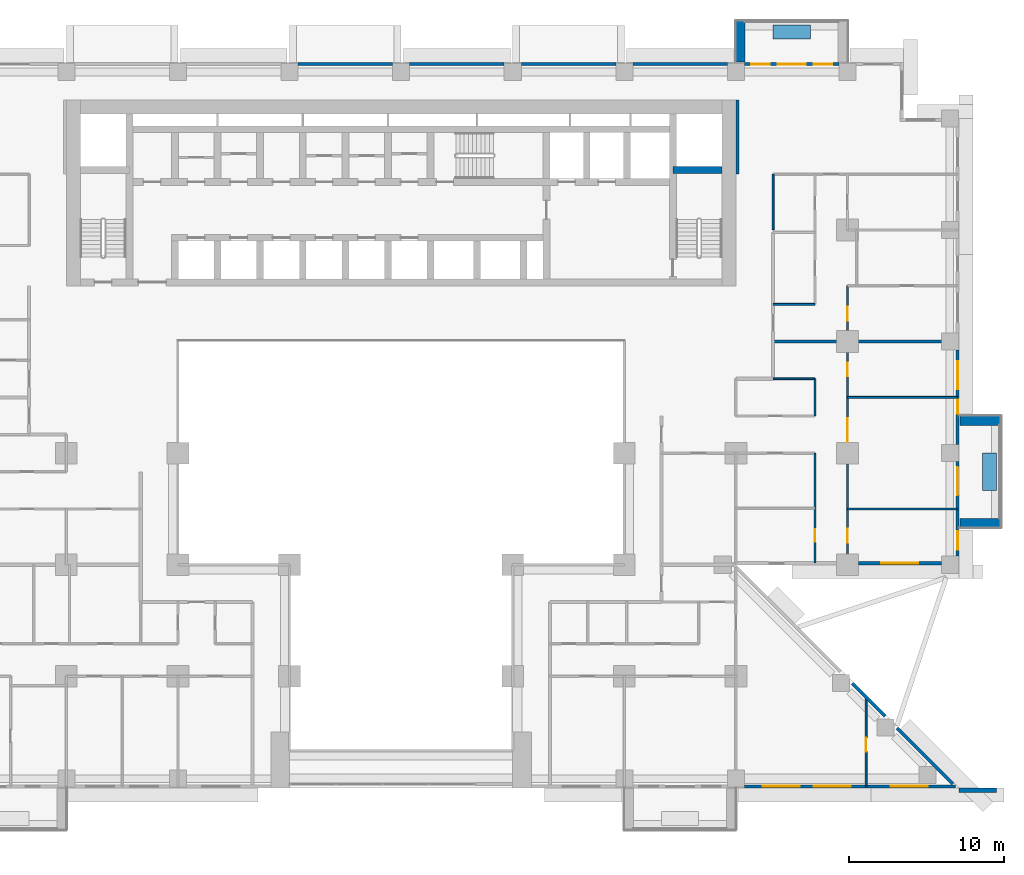
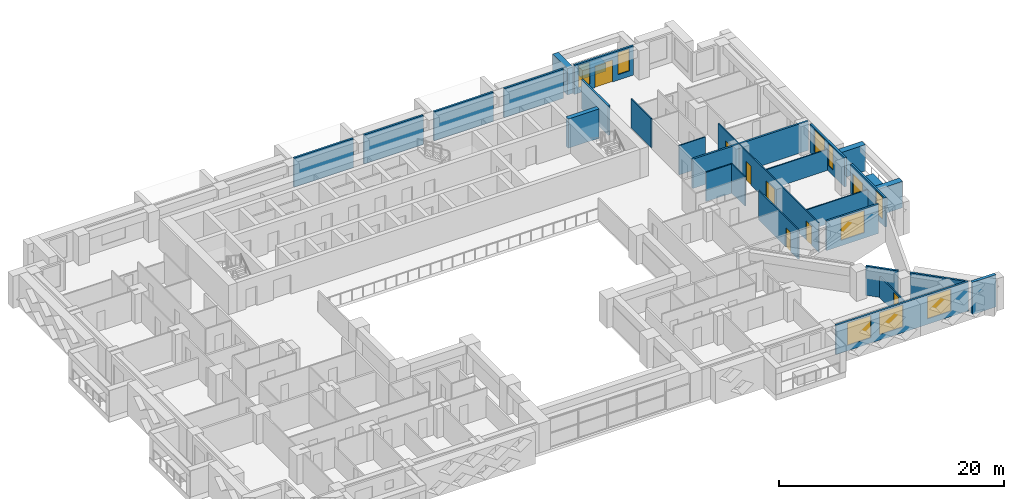
# One storey, part 11 of 16: 29 walls, 9 windows, 8 doors, 17 openings.
"""IFC4 building model written with IfcOpenShell, lengths in metres."""

from ifc_helpers import new_model, si_unit, direction, frame, frame_2d, origin, place, context, subcontext, project, spatial, rectangle, extrude, material, layer, layer_set, type_object, element, fill, save


model = new_model("IFC4")

# Units and contexts
model_context = context("Model", 3, precision=1e-05, world=origin(), true_north=direction((0.0, 1.0)))
body_context = subcontext(model_context, "Body", "Model", "MODEL_VIEW")
ifc_project = project(units=[si_unit("LENGTHUNIT", "METRE"), si_unit("AREAUNIT", "SQUARE_METRE"), si_unit("VOLUMEUNIT", "CUBIC_METRE"), si_unit("PLANEANGLEUNIT", "RADIAN"), si_unit("MASSUNIT", "GRAM", prefix="KILO")], contexts=[model_context])

# Site, building, storey
site_placement = place(None, origin())
site = spatial("IfcSite", under=ifc_project, at=site_placement, CompositionType="ELEMENT")
building_placement = place(site_placement, origin())
building = spatial("IfcBuilding", under=site, at=building_placement, Name="Saffron Iwan Residences", CompositionType="ELEMENT")
storey_placement = place(building_placement, frame((0.0, 0.0, 44.5)))
storey = spatial("IfcBuildingStorey", under=building, at=storey_placement, Name="L10", CompositionType="ELEMENT", Elevation=44.5)

# Walls
ifc_material_1 = material(Name="Concrete C50/60 white painted", Category="concrete")
ifc_layer_1 = layer(ifc_material_1, 0.60009765625)
ifc_layer_set_1 = layer_set([ifc_layer_1], Name="Concrete C50/60 white painted")
wall_type_1 = type_object("IfcWallType", Name="BALCONY FIN 600", PredefinedType="SOLIDWALL", material=ifc_layer_set_1)
for number, where, z_axis, x_axis, name in (
    (1, (86.449951171875, 50.699951171875, 0.0), (0.0, 0.0, 1.0), (1.0, 0.0, 0.0), "Balcony fin L10 F2-0a"),
    (2, (86.449951171875, 57.300048828125, 0.0), (0.0, 0.0, 1.0), (1.0, 0.0, 0.0), "Balcony fin L10 F2-0b"),
    (3, (72.300048828125, 80.449951171875, 0.0), (0.0, 0.0, 1.0), (0.0, 1.0, 0.0), "Balcony fin L10 F5-0b"),
):
    element("IfcWall", number, at=place(storey_placement, frame(where, z_axis=z_axis, x_axis=x_axis)), inside=storey, type_object=wall_type_1, Name=name, PredefinedType="SOLIDWALL", context=body_context, shape_type="SweptSolid", body=[
        extrude(rectangle(XDim=2.650146484375, YDim=0.60009765625, at=frame_2d((1.3251953125, 0.0))), origin(), (0.0, 0.0, 1.0), 2.85009765625),
    ])
ifc_material_2 = material(Name="Concrete C35/45 white painted", Category="concrete")
ifc_layer_2 = layer(ifc_material_2, 0.14990234375)
ifc_layer_set_2 = layer_set([ifc_layer_2], Name="Concrete C35/45 white painted")
wall_type_2 = type_object("IfcWallType", Name="BALCONY PLANTER", PredefinedType="SOLIDWALL", material=ifc_layer_set_2)
wall_1_placement = place(storey_placement, frame((88.375, 52.800048828125, 0.0), z_axis=(0.0, 0.0, 1.0), x_axis=(0.0, 1.0, 0.0)))
element("IfcWall", 4, at=wall_1_placement, inside=storey, type_object=wall_type_2, Name="PLANTER L10 F2-0", PredefinedType="SOLIDWALL", context=body_context, shape_type="SweptSolid", body=[
    extrude(rectangle(XDim=2.39990234375, YDim=0.89990234375, at=frame_2d((1.199951171875, 0.0))), origin(), (0.0, 0.0, 1.0), 0.89990234375),
])
wall_2_placement = place(storey_placement, frame((76.800048828125, 82.375, 0.0), z_axis=(0.0, 0.0, 1.0), x_axis=(-1.0, 0.0, 0.0)))
element("IfcWall", 5, at=wall_2_placement, inside=storey, type_object=wall_type_2, Name="PLANTER L10 F5-0", PredefinedType="SOLIDWALL", context=body_context, shape_type="SweptSolid", body=[
    extrude(rectangle(XDim=2.400146484375, YDim=0.89990234375, at=frame_2d((1.2001953125, 0.0))), origin(), (0.0, 0.0, 1.0), 0.89990234375),
])
ifc_material_3 = material(Name="Concrete C40/50", Category="concrete")
ifc_layer_3 = layer(ifc_material_3, 0.199951171875)
ifc_layer_set_3 = layer_set([ifc_layer_3], Name="Concrete C40/50")
wall_type_3 = type_object("IfcWallType", Name="EXTERNAL WALL 200", PredefinedType="SOLIDWALL", material=ifc_layer_set_3)
wall_3_placement = place(storey_placement, frame((85.995849609375, 33.862548828125, 0.0), z_axis=(0.0, 0.0, 1.0), x_axis=(-0.7070827891, 0.707130772459, 0.0)))
element("IfcWall", 6, at=wall_3_placement, inside=storey, type_object=wall_type_3, Name="External wall L10 F0.0", PredefinedType="SOLIDWALL", context=body_context, shape_type="SweptSolid", body=[
    extrude(rectangle(XDim=5.088134765625, YDim=0.199951171875, at=frame_2d((2.5439453125, 0.0))), origin(), (0.0, 0.0, 1.0), 3.179931640625),
])
wall_4_placement = place(storey_placement, frame((81.620361328125, 38.23828125, 0.0), z_axis=(0.0, 0.0, 1.0), x_axis=(-0.707106781187, 0.707106781187, 0.0)))
element("IfcWall", 7, at=wall_4_placement, inside=storey, type_object=wall_type_3, Name="External wall L10 F0.1", PredefinedType="SOLIDWALL", context=body_context, shape_type="SweptSolid", body=[
    extrude(rectangle(XDim=2.97265625, YDim=0.199951171875, at=frame_2d((1.486328125, 0.0))), origin(), (0.0, 0.0, 1.0), 3.179931640625),
])

# Wall, opening, window
wall_5_placement = place(storey_placement, frame((79.89990234375, 48.10009765625, 0.0), z_axis=(0.0, 0.0, 1.0), x_axis=(1.0, 0.0, 0.0)))
wall_5 = element("IfcWall", 8, at=wall_5_placement, inside=storey, type_object=wall_type_3, Name="External wall L10 F1.1", PredefinedType="SOLIDWALL", context=body_context, shape_type="SweptSolid", body=[
    extrude(rectangle(XDim=5.35009765625, YDim=0.199951171875, at=frame_2d((2.675048828125, 0.0))), origin(), (0.0, 0.0, 1.0), 3.179931640625),
])
opening_1_placement = place(wall_5_placement, frame((1.47509765625, 0.0, 0.60009765625)))
opening_1 = element("IfcOpeningElement", 9, at=opening_1_placement, cuts=wall_5, Name="Opening W1", PredefinedType="OPENING", context=body_context, shape_type="SweptSolid", body=[
    extrude(rectangle(XDim=2.39990234375, YDim=2.39990234375, at=frame_2d((1.199951171875, 1.199951171875))), frame((0.0, 0.10986328125, 0.0), z_axis=(0.0, -1.0, 0.0), x_axis=(1.0, 0.0, 0.0)), (0.0, 0.0, 1.0), 0.219970703125),
])
ifc_material_4 = material(Name="Clear glass, laminated double glazed", Category="glass")
window_type_1 = type_object("IfcWindowType", Name="WINDOW 2400 x 2400", PartitioningType="DOUBLE_PANEL_VERTICAL", PredefinedType="WINDOW", material=ifc_material_4)
window_1_placement = place(opening_1_placement, origin())
window_1 = element("IfcWindow", 10, at=window_1_placement, inside=storey, type_object=window_type_1, Name="Window L10 F1.0", OverallHeight=2.39990234375, OverallWidth=2.39990234375, PartitioningType="DOUBLE_PANEL_VERTICAL", PredefinedType="WINDOW", context=body_context, shape_type="SweptSolid", body=[
    extrude(rectangle(XDim=2.39990234375, YDim=2.39990234375, at=frame_2d((1.199951171875, 1.199951171875))), frame((0.0, 0.030029296875, 0.0), z_axis=(0.0, -1.0, 0.0), x_axis=(1.0, 0.0, 0.0)), (0.0, 0.0, 1.0), 0.06005859375),
])
fill(opening_1, window_1)

# Wall, openings, door, window
wall_6_placement = place(storey_placement, frame((86.300048828125, 48.550048828125, 0.0), z_axis=(0.0, 0.0, 1.0), x_axis=(0.0, 1.0, 0.0)))
wall_6 = element("IfcWall", 11, at=wall_6_placement, inside=storey, type_object=wall_type_3, Name="External wall L10 F2.0", PredefinedType="SOLIDWALL", context=body_context, shape_type="SweptSolid", body=[
    extrude(rectangle(XDim=6.099853515625, YDim=0.199951171875, at=frame_2d((3.0498046875, 0.0))), origin(), (0.0, 0.0, 1.0), 3.179931640625),
])
opening_2_placement = place(wall_6_placement, frame((3.949951171875, 0.0, 0.0)))
opening_2 = element("IfcOpeningElement", 12, at=opening_2_placement, cuts=wall_6, Name="Opening BD1", PredefinedType="OPENING", context=body_context, shape_type="SweptSolid", body=[
    extrude(rectangle(XDim=1.800048828125, YDim=2.39990234375, at=frame_2d((0.89990234375, 1.199951171875))), frame((0.0, 0.10986328125, 0.0), z_axis=(0.0, -1.0, 0.0), x_axis=(1.0, 0.0, 0.0)), (0.0, 0.0, 1.0), 0.219970703125),
])
opening_3_placement = place(wall_6_placement, frame((0.425048828125, 0.0, 0.60009765625)))
opening_3 = element("IfcOpeningElement", 13, at=opening_3_placement, cuts=wall_6, Name="Opening W3", PredefinedType="OPENING", context=body_context, shape_type="SweptSolid", body=[
    extrude(rectangle(XDim=1.199951171875, YDim=2.39990234375, at=frame_2d((0.60009765625, 1.199951171875))), frame((0.0, 0.10986328125, 0.0), z_axis=(0.0, -1.0, 0.0), x_axis=(1.0, 0.0, 0.0)), (0.0, 0.0, 1.0), 0.219970703125),
])
door_type_1 = type_object("IfcDoorType", Name="BALCONY DOOR 1800 x 2400", OperationType="DOUBLE_DOOR_SLIDING", PredefinedType="DOOR", material=ifc_material_4)
door_1_placement = place(opening_2_placement, origin())
door_1 = element("IfcDoor", 14, at=door_1_placement, inside=storey, type_object=door_type_1, Name="Balcony door L10 F2.0", OperationType="DOUBLE_DOOR_SLIDING", OverallHeight=2.39990234375, OverallWidth=1.800048828125, PredefinedType="DOOR", context=body_context, shape_type="SweptSolid", body=[
    extrude(rectangle(XDim=1.800048828125, YDim=2.39990234375, at=frame_2d((0.89990234375, 1.199951171875))), frame((0.0, 0.02490234375, 0.0), z_axis=(0.0, -1.0, 0.0), x_axis=(1.0, 0.0, 0.0)), (0.0, 0.0, 1.0), 0.050048828125),
])
fill(opening_2, door_1)
window_type_2 = type_object("IfcWindowType", Name="WINDOW 1200 x 2400", PartitioningType="SINGLE_PANEL", PredefinedType="WINDOW", material=ifc_material_4)
window_2_placement = place(opening_3_placement, origin())
window_2 = element("IfcWindow", 15, at=window_2_placement, inside=storey, type_object=window_type_2, Name="Window L10 F2.1", OverallHeight=2.39990234375, OverallWidth=1.199951171875, PartitioningType="SINGLE_PANEL", PredefinedType="WINDOW", context=body_context, shape_type="SweptSolid", body=[
    extrude(rectangle(XDim=1.199951171875, YDim=2.39990234375, at=frame_2d((0.60009765625, 1.199951171875))), frame((0.0, 0.030029296875, 0.0), z_axis=(0.0, -1.0, 0.0), x_axis=(1.0, 0.0, 0.0)), (0.0, 0.0, 1.0), 0.06005859375),
])
fill(opening_3, window_2)

# Wall, openings, windows
wall_7_placement = place(storey_placement, frame((86.300048828125, 55.75, 0.0), z_axis=(0.0, 0.0, 1.0), x_axis=(0.0, 1.0, 0.0)))
wall_7 = element("IfcWall", 16, at=wall_7_placement, inside=storey, type_object=wall_type_3, Name="External wall L10 F2.1", PredefinedType="SOLIDWALL", context=body_context, shape_type="SweptSolid", body=[
    extrude(rectangle(XDim=6.10009765625, YDim=0.199951171875, at=frame_2d((3.050048828125, 0.0))), origin(), (0.0, 0.0, 1.0), 3.179931640625),
])
opening_4_placement = place(wall_7_placement, frame((2.0, 0.0, 0.60009765625)))
opening_4 = element("IfcOpeningElement", 17, at=opening_4_placement, cuts=wall_7, Name="Opening W10", PredefinedType="OPENING", context=body_context, shape_type="SweptSolid", body=[
    extrude(rectangle(XDim=0.89990234375, YDim=2.39990234375, at=frame_2d((0.449951171875, 1.199951171875))), frame((0.0, 0.10986328125, 0.0), z_axis=(0.0, -1.0, 0.0), x_axis=(1.0, 0.0, 0.0)), (0.0, 0.0, 1.0), 0.219970703125),
])
opening_5_placement = place(wall_7_placement, frame((3.574951171875, 0.0, 0.60009765625)))
opening_5 = element("IfcOpeningElement", 18, at=opening_5_placement, cuts=wall_7, Name="Opening W8", PredefinedType="OPENING", context=body_context, shape_type="SweptSolid", body=[
    extrude(rectangle(XDim=1.800048828125, YDim=2.39990234375, at=frame_2d((0.89990234375, 1.199951171875))), frame((0.0, 0.10986328125, 0.0), z_axis=(0.0, -1.0, 0.0), x_axis=(1.0, 0.0, 0.0)), (0.0, 0.0, 1.0), 0.219970703125),
])
window_type_3 = type_object("IfcWindowType", Name="WINDOW 1800 x 2400", PartitioningType="DOUBLE_PANEL_VERTICAL", PredefinedType="WINDOW", material=ifc_material_4)
window_3_placement = place(opening_5_placement, origin())
window_3 = element("IfcWindow", 19, at=window_3_placement, inside=storey, type_object=window_type_3, Name="Window L10 F2.1", OverallHeight=2.39990234375, OverallWidth=1.800048828125, PartitioningType="DOUBLE_PANEL_VERTICAL", PredefinedType="WINDOW", context=body_context, shape_type="SweptSolid", body=[
    extrude(rectangle(XDim=1.800048828125, YDim=2.39990234375, at=frame_2d((0.89990234375, 1.199951171875))), frame((0.0, 0.030029296875, 0.0), z_axis=(0.0, -1.0, 0.0), x_axis=(1.0, 0.0, 0.0)), (0.0, 0.0, 1.0), 0.06005859375),
])
fill(opening_5, window_3)
window_type_4 = type_object("IfcWindowType", Name="WINDOW 900 x 2400", PartitioningType="SINGLE_PANEL", PredefinedType="WINDOW", material=ifc_material_4)
window_4_placement = place(opening_4_placement, origin())
window_4 = element("IfcWindow", 20, at=window_4_placement, inside=storey, type_object=window_type_4, Name="Window L10 F2.0", OverallHeight=2.39990234375, OverallWidth=0.89990234375, PartitioningType="SINGLE_PANEL", PredefinedType="WINDOW", context=body_context, shape_type="SweptSolid", body=[
    extrude(rectangle(XDim=0.89990234375, YDim=2.39990234375, at=frame_2d((0.449951171875, 1.199951171875))), frame((0.0, 0.030029296875, 0.0), z_axis=(0.0, -1.0, 0.0), x_axis=(1.0, 0.0, 0.0)), (0.0, 0.0, 1.0), 0.06005859375),
])
fill(opening_4, window_4)

# Wall, openings, door, windows
wall_8_placement = place(storey_placement, frame((78.64990234375, 80.300048828125, 0.0), z_axis=(0.0, 0.0, 1.0), x_axis=(-1.0, 0.0, 0.0)))
wall_8 = element("IfcWall", 21, at=wall_8_placement, inside=storey, type_object=wall_type_3, Name="External wall L10 F5.1", PredefinedType="SOLIDWALL", context=body_context, shape_type="SweptSolid", body=[
    extrude(rectangle(XDim=6.099853515625, YDim=0.199951171875, at=frame_2d((3.0498046875, 0.0))), origin(), (0.0, 0.0, 1.0), 3.179931640625),
])
opening_6_placement = place(wall_8_placement, frame((2.14990234375, 0.0, 0.0)))
opening_6 = element("IfcOpeningElement", 22, at=opening_6_placement, cuts=wall_8, Name="Opening BD1", PredefinedType="OPENING", context=body_context, shape_type="SweptSolid", body=[
    extrude(rectangle(XDim=1.800048828125, YDim=2.39990234375, at=frame_2d((0.89990234375, 1.199951171875))), frame((0.0, 0.10986328125, 0.0), z_axis=(0.0, -1.0, 0.0), x_axis=(1.0, 0.0, 0.0)), (0.0, 0.0, 1.0), 0.219970703125),
])
opening_7_placement = place(wall_8_placement, frame((0.425048828125, 0.0, 0.60009765625)))
opening_7 = element("IfcOpeningElement", 23, at=opening_7_placement, cuts=wall_8, Name="Opening W3", PredefinedType="OPENING", context=body_context, shape_type="SweptSolid", body=[
    extrude(rectangle(XDim=1.199951171875, YDim=2.39990234375, at=frame_2d((0.60009765625, 1.199951171875))), frame((0.0, 0.10986328125, 0.0), z_axis=(0.0, -1.0, 0.0), x_axis=(1.0, 0.0, 0.0)), (0.0, 0.0, 1.0), 0.219970703125),
])
opening_8_placement = place(wall_8_placement, frame((4.47509765625, 0.0, 0.60009765625)))
opening_8 = element("IfcOpeningElement", 24, at=opening_8_placement, cuts=wall_8, Name="Opening W3", PredefinedType="OPENING", context=body_context, shape_type="SweptSolid", body=[
    extrude(rectangle(XDim=1.199951171875, YDim=2.39990234375, at=frame_2d((0.60009765625, 1.199951171875))), frame((0.0, 0.10986328125, 0.0), z_axis=(0.0, -1.0, 0.0), x_axis=(1.0, 0.0, 0.0)), (0.0, 0.0, 1.0), 0.219970703125),
])
door_2_placement = place(opening_6_placement, origin())
door_2 = element("IfcDoor", 25, at=door_2_placement, inside=storey, type_object=door_type_1, Name="Balcony door L10 F5.0", OperationType="DOUBLE_DOOR_SLIDING", OverallHeight=2.39990234375, OverallWidth=1.800048828125, PredefinedType="DOOR", context=body_context, shape_type="SweptSolid", body=[
    extrude(rectangle(XDim=1.800048828125, YDim=2.39990234375, at=frame_2d((0.89990234375, 1.199951171875))), frame((0.0, 0.02490234375, 0.0), z_axis=(0.0, -1.0, 0.0), x_axis=(1.0, 0.0, 0.0)), (0.0, 0.0, 1.0), 0.050048828125),
])
fill(opening_6, door_2)
window_5_placement = place(opening_7_placement, origin())
window_5 = element("IfcWindow", 26, at=window_5_placement, inside=storey, type_object=window_type_2, Name="Window L10 F5.1", OverallHeight=2.39990234375, OverallWidth=1.199951171875, PartitioningType="SINGLE_PANEL", PredefinedType="WINDOW", context=body_context, shape_type="SweptSolid", body=[
    extrude(rectangle(XDim=1.199951171875, YDim=2.39990234375, at=frame_2d((0.60009765625, 1.199951171875))), frame((0.0, 0.030029296875, 0.0), z_axis=(0.0, -1.0, 0.0), x_axis=(1.0, 0.0, 0.0)), (0.0, 0.0, 1.0), 0.06005859375),
])
fill(opening_7, window_5)
window_6_placement = place(opening_8_placement, origin())
window_6 = element("IfcWindow", 27, at=window_6_placement, inside=storey, type_object=window_type_2, Name="Window L10 F5.2", OverallHeight=2.39990234375, OverallWidth=1.199951171875, PartitioningType="SINGLE_PANEL", PredefinedType="WINDOW", context=body_context, shape_type="SweptSolid", body=[
    extrude(rectangle(XDim=1.199951171875, YDim=2.39990234375, at=frame_2d((0.60009765625, 1.199951171875))), frame((0.0, 0.030029296875, 0.0), z_axis=(0.0, -1.0, 0.0), x_axis=(1.0, 0.0, 0.0)), (0.0, 0.0, 1.0), 0.06005859375),
])
fill(opening_8, window_6)

# Walls
wall_9_placement = place(storey_placement, frame((71.449951171875, 80.300048828125, 0.0), z_axis=(0.0, 0.0, 1.0), x_axis=(-1.0, 0.0, 0.0)))
element("IfcWall", 28, at=wall_9_placement, inside=storey, type_object=wall_type_3, Name="External wall L10 F5.2", PredefinedType="SOLIDWALL", context=body_context, shape_type="SweptSolid", body=[
    extrude(rectangle(XDim=6.099853515625, YDim=0.199951171875, at=frame_2d((3.0498046875, 0.0))), origin(), (0.0, 0.0, 1.0), 3.179931640625),
])
for number, where, z_axis, x_axis, name in (
    (29, (64.25, 80.300048828125, 0.0), (0.0, 0.0, 1.0), (-1.0, 0.0, 0.0), "External wall L10 F5.3"),
    (30, (57.050048828125, 80.300048828125, 0.0), (0.0, 0.0, 1.0), (-1.0, 0.0, 0.0), "External wall L10 F5.4"),
    (31, (49.85009765625, 80.300048828125, 0.0), (0.0, 0.0, 1.0), (-1.0, 0.0, 0.0), "External wall L10 F5.5"),
):
    element("IfcWall", number, at=place(storey_placement, frame(where, z_axis=z_axis, x_axis=x_axis)), inside=storey, type_object=wall_type_3, Name=name, PredefinedType="SOLIDWALL", context=body_context, shape_type="SweptSolid", body=[
        extrude(rectangle(XDim=6.10009765625, YDim=0.199951171875, at=frame_2d((3.050048828125, 0.0))), origin(), (0.0, 0.0, 1.0), 3.179931640625),
    ])

# Wall, openings, windows
wall_10_placement = place(storey_placement, frame((72.550048828125, 33.699951171875, 0.0), z_axis=(0.0, 0.0, 1.0), x_axis=(1.0, 0.0, 0.0)))
wall_10 = element("IfcWall", 32, at=wall_10_placement, inside=storey, type_object=wall_type_3, Name="External wall L10 F11.6", PredefinedType="SOLIDWALL", context=body_context, shape_type="SweptSolid", body=[
    extrude(rectangle(XDim=13.608642578125, YDim=0.199951171875, at=frame_2d((6.80419921875, 0.0))), origin(), (0.0, 0.0, 1.0), 3.179931640625),
])
opening_9_placement = place(wall_10_placement, frame((1.183349609375, 0.0, 0.60009765625)))
opening_9 = element("IfcOpeningElement", 33, at=opening_9_placement, cuts=wall_10, Name="Opening W1", PredefinedType="OPENING", context=body_context, shape_type="SweptSolid", body=[
    extrude(rectangle(XDim=2.39990234375, YDim=2.39990234375, at=frame_2d((1.199951171875, 1.199951171875))), frame((0.0, 0.10986328125, 0.0), z_axis=(0.0, -1.0, 0.0), x_axis=(1.0, 0.0, 0.0)), (0.0, 0.0, 1.0), 0.219970703125),
])
opening_10_placement = place(wall_10_placement, frame((4.466796875, 0.0, 0.60009765625)))
opening_10 = element("IfcOpeningElement", 34, at=opening_10_placement, cuts=wall_10, Name="Opening W1", PredefinedType="OPENING", context=body_context, shape_type="SweptSolid", body=[
    extrude(rectangle(XDim=2.39990234375, YDim=2.39990234375, at=frame_2d((1.199951171875, 1.199951171875))), frame((0.0, 0.10986328125, 0.0), z_axis=(0.0, -1.0, 0.0), x_axis=(1.0, 0.0, 0.0)), (0.0, 0.0, 1.0), 0.219970703125),
])
opening_11_placement = place(wall_10_placement, frame((9.42919921875, 0.0, 0.60009765625)))
opening_11 = element("IfcOpeningElement", 35, at=opening_11_placement, cuts=wall_10, Name="Opening W1", PredefinedType="OPENING", context=body_context, shape_type="SweptSolid", body=[
    extrude(rectangle(XDim=2.39990234375, YDim=2.39990234375, at=frame_2d((1.199951171875, 1.199951171875))), frame((0.0, 0.10986328125, 0.0), z_axis=(0.0, -1.0, 0.0), x_axis=(1.0, 0.0, 0.0)), (0.0, 0.0, 1.0), 0.219970703125),
])
window_7_placement = place(opening_9_placement, origin())
window_7 = element("IfcWindow", 36, at=window_7_placement, inside=storey, type_object=window_type_1, Name="Window L10 F11.0", OverallHeight=2.39990234375, OverallWidth=2.39990234375, PartitioningType="DOUBLE_PANEL_VERTICAL", PredefinedType="WINDOW", context=body_context, shape_type="SweptSolid", body=[
    extrude(rectangle(XDim=2.39990234375, YDim=2.39990234375, at=frame_2d((1.199951171875, 1.199951171875))), frame((0.0, 0.030029296875, 0.0), z_axis=(0.0, -1.0, 0.0), x_axis=(1.0, 0.0, 0.0)), (0.0, 0.0, 1.0), 0.06005859375),
])
fill(opening_9, window_7)
window_8_placement = place(opening_10_placement, origin())
window_8 = element("IfcWindow", 37, at=window_8_placement, inside=storey, type_object=window_type_1, Name="Window L10 F11.1", OverallHeight=2.39990234375, OverallWidth=2.39990234375, PartitioningType="DOUBLE_PANEL_VERTICAL", PredefinedType="WINDOW", context=body_context, shape_type="SweptSolid", body=[
    extrude(rectangle(XDim=2.39990234375, YDim=2.39990234375, at=frame_2d((1.199951171875, 1.199951171875))), frame((0.0, 0.030029296875, 0.0), z_axis=(0.0, -1.0, 0.0), x_axis=(1.0, 0.0, 0.0)), (0.0, 0.0, 1.0), 0.06005859375),
])
fill(opening_10, window_8)
window_9_placement = place(opening_11_placement, origin())
window_9 = element("IfcWindow", 38, at=window_9_placement, inside=storey, type_object=window_type_1, Name="Window L10 F11.2", OverallHeight=2.39990234375, OverallWidth=2.39990234375, PartitioningType="DOUBLE_PANEL_VERTICAL", PredefinedType="WINDOW", context=body_context, shape_type="SweptSolid", body=[
    extrude(rectangle(XDim=2.39990234375, YDim=2.39990234375, at=frame_2d((1.199951171875, 1.199951171875))), frame((0.0, 0.030029296875, 0.0), z_axis=(0.0, -1.0, 0.0), x_axis=(1.0, 0.0, 0.0)), (0.0, 0.0, 1.0), 0.06005859375),
])
fill(opening_11, window_9)

# Walls
ifc_material_5 = material(Name="Fire-rated gypsum board wall")
ifc_layer_4 = layer(ifc_material_5, 0.199951171875)
ifc_layer_set_4 = layer_set([ifc_layer_4], Name="Fire-rated gypsum board wall")
wall_type_4 = type_object("IfcWallType", Name="Flat demising wall 200", PredefinedType="SOLIDWALL", material=ifc_layer_set_4)
wall_11_placement = place(storey_placement, frame((74.39990234375, 62.39990234375, 0.0), z_axis=(0.0, 0.0, 1.0), x_axis=(1.0, 0.0, 0.0)))
element("IfcWall", 39, at=wall_11_placement, inside=storey, type_object=wall_type_4, Name="W-L10-DEMISE-h62.4-74.4", PredefinedType="SOLIDWALL", context=body_context, shape_type="SweptSolid", body=[
    extrude(rectangle(XDim=11.875, YDim=0.199951171875, at=frame_2d((5.9375, 0.0))), origin(), (0.0, 0.0, 1.0), 3.179931640625),
])
ifc_material_6 = material(Name="Gypsum board partition")
ifc_layer_5 = layer(ifc_material_6, 0.1201171875)
ifc_layer_set_5 = layer_set([ifc_layer_5], Name="Gypsum board partition")
wall_type_5 = type_object("IfcWallType", Name="Flat partition 120", PredefinedType="PARTITIONING", material=ifc_layer_set_5)
for number, where, z_axis, x_axis, name in (
    (40, (79.199951171875, 51.60009765625, 0.0), (0.0, 0.0, 1.0), (1.0, 0.0, 0.0), "W-L10-PART-h51.6-79.2"),
    (41, (79.199951171875, 58.800048828125, 0.0), (0.0, 0.0, 1.0), (1.0, 0.0, 0.0), "W-L10-PART-h58.8-79.2"),
):
    element("IfcWall", number, at=place(storey_placement, frame(where, z_axis=z_axis, x_axis=x_axis)), inside=storey, type_object=wall_type_5, Name=name, PredefinedType="PARTITIONING", context=body_context, shape_type="SweptSolid", body=[
        extrude(rectangle(XDim=7.074951171875, YDim=0.1201171875, at=frame_2d((3.53759765625, 0.0))), origin(), (0.0, 0.0, 1.0), 2.280029296875),
    ])
for number, where, z_axis, x_axis, name in (
    (42, (74.39990234375, 60.0, 0.0), (0.0, 0.0, 1.0), (1.0, 0.0, 0.0), "W-L10-PART-h60-74.4"),
    (43, (74.39990234375, 64.800048828125, 0.0), (0.0, 0.0, 1.0), (1.0, 0.0, 0.0), "W-L10-PART-h64.8-74.4"),
):
    element("IfcWall", number, at=place(storey_placement, frame(where, z_axis=z_axis, x_axis=x_axis)), inside=storey, type_object=wall_type_5, Name=name, PredefinedType="PARTITIONING", context=body_context, shape_type="SweptSolid", body=[
        extrude(rectangle(XDim=2.7001953125, YDim=0.1201171875, at=frame_2d((1.35009765625, 0.0))), origin(), (0.0, 0.0, 1.0), 3.179931640625),
    ])
wall_12_placement = place(storey_placement, frame((74.39990234375, 69.6201171875, 0.0), z_axis=(0.0, 0.0, 1.0), x_axis=(0.0, 1.0, 0.0)))
element("IfcWall", 44, at=wall_12_placement, inside=storey, type_object=wall_type_5, Name="W-L10-PART-v74.4-69.62", PredefinedType="PARTITIONING", context=body_context, shape_type="SweptSolid", body=[
    extrude(rectangle(XDim=3.579833984375, YDim=0.1201171875, at=frame_2d((1.7900390625, 0.0))), origin(), (0.0, 0.0, 1.0), 3.179931640625),
])

# Wall, opening, door
wall_13_placement = place(storey_placement, frame((77.10009765625, 48.125, 0.0), z_axis=(0.0, 0.0, 1.0), x_axis=(0.0, 1.0, 0.0)))
wall_13 = element("IfcWall", 45, at=wall_13_placement, inside=storey, type_object=wall_type_5, Name="W-L10-PART-v77.1-48.125", PredefinedType="PARTITIONING", context=body_context, shape_type="SweptSolid", body=[
    extrude(rectangle(XDim=7.074951171875, YDim=0.1201171875, at=frame_2d((3.53759765625, 0.0))), origin(), (0.0, 0.0, 1.0), 3.179931640625),
])
opening_12_placement = place(wall_13_placement, frame((1.362548828125, 0.0, 0.0)))
opening_12 = element("IfcOpeningElement", 46, at=opening_12_placement, cuts=wall_13, Name="Opening FD3", PredefinedType="OPENING", context=body_context, shape_type="SweptSolid", body=[
    extrude(rectangle(XDim=0.800048828125, YDim=2.10009765625, at=frame_2d((0.39990234375, 1.050048828125))), frame((0.0, 0.070068359375, 0.0), z_axis=(0.0, -1.0, 0.0), x_axis=(1.0, 0.0, 0.0)), (0.0, 0.0, 1.0), 0.14013671875),
])
ifc_material_7 = material(Name="Timber door", Category="wood")
door_type_2 = type_object("IfcDoorType", Name="Bathroom door 800", OperationType="NOTDEFINED", PredefinedType="DOOR", material=ifc_material_7)
door_3_placement = place(opening_12_placement, origin())
door_3 = element("IfcDoor", 47, at=door_3_placement, inside=storey, type_object=door_type_2, Name="Door L10-023", OperationType="SINGLE_SWING_LEFT", OverallHeight=2.10009765625, OverallWidth=0.800048828125, PredefinedType="DOOR", context=body_context, shape_type="SweptSolid", body=[
    extrude(rectangle(XDim=0.800048828125, YDim=2.10009765625, at=frame_2d((0.39990234375, 1.050048828125))), frame((0.0, 0.02490234375, 0.0), z_axis=(0.0, -1.0, 0.0), x_axis=(1.0, 0.0, 0.0)), (0.0, 0.0, 1.0), 0.050048828125),
])
fill(opening_12, door_3)

# Wall
wall_14_placement = place(storey_placement, frame((77.10009765625, 57.60009765625, 0.0), z_axis=(0.0, 0.0, 1.0), x_axis=(0.0, 1.0, 0.0)))
element("IfcWall", 48, at=wall_14_placement, inside=storey, type_object=wall_type_5, Name="W-L10-PART-v77.1-57.6", PredefinedType="PARTITIONING", context=body_context, shape_type="SweptSolid", body=[
    extrude(rectangle(XDim=2.39990234375, YDim=0.1201171875, at=frame_2d((1.199951171875, 0.0))), origin(), (0.0, 0.0, 1.0), 3.179931640625),
])

# Wall, openings, doors
wall_15_placement = place(storey_placement, frame((79.199951171875, 48.125, 0.0), z_axis=(0.0, 0.0, 1.0), x_axis=(0.0, 1.0, 0.0)))
wall_15 = element("IfcWall", 49, at=wall_15_placement, inside=storey, type_object=wall_type_5, Name="W-L10-PART-v79.2-48.125", PredefinedType="PARTITIONING", context=body_context, shape_type="SweptSolid", body=[
    extrude(rectangle(XDim=17.875, YDim=0.1201171875, at=frame_2d((8.9375, 0.0))), origin(), (0.0, 0.0, 1.0), 3.179931640625),
])
opening_13_placement = place(wall_15_placement, frame((1.28759765625, 0.0, 0.0)))
opening_13 = element("IfcOpeningElement", 50, at=opening_13_placement, cuts=wall_15, Name="Opening FD2", PredefinedType="OPENING", context=body_context, shape_type="SweptSolid", body=[
    extrude(rectangle(XDim=0.89990234375, YDim=2.10009765625, at=frame_2d((0.449951171875, 1.050048828125))), frame((0.0, 0.070068359375, 0.0), z_axis=(0.0, -1.0, 0.0), x_axis=(1.0, 0.0, 0.0)), (0.0, 0.0, 1.0), 0.14013671875),
])
opening_14_placement = place(wall_15_placement, frame((7.824951171875, 0.0, 0.0)))
opening_14 = element("IfcOpeningElement", 51, at=opening_14_placement, cuts=wall_15, Name="Opening FD4", PredefinedType="OPENING", context=body_context, shape_type="SweptSolid", body=[
    extrude(rectangle(XDim=1.5, YDim=2.10009765625, at=frame_2d((0.75, 1.050048828125))), frame((0.0, 0.070068359375, 0.0), z_axis=(0.0, -1.0, 0.0), x_axis=(1.0, 0.0, 0.0)), (0.0, 0.0, 1.0), 0.14013671875),
])
opening_15_placement = place(wall_15_placement, frame((12.02490234375, 0.0, 0.0)))
opening_15 = element("IfcOpeningElement", 52, at=opening_15_placement, cuts=wall_15, Name="Opening FD2", PredefinedType="OPENING", context=body_context, shape_type="SweptSolid", body=[
    extrude(rectangle(XDim=0.89990234375, YDim=2.10009765625, at=frame_2d((0.449951171875, 1.050048828125))), frame((0.0, 0.070068359375, 0.0), z_axis=(0.0, -1.0, 0.0), x_axis=(1.0, 0.0, 0.0)), (0.0, 0.0, 1.0), 0.14013671875),
])
opening_16_placement = place(wall_15_placement, frame((15.625, 0.0, 0.0)))
opening_16 = element("IfcOpeningElement", 53, at=opening_16_placement, cuts=wall_15, Name="Opening FD2", PredefinedType="OPENING", context=body_context, shape_type="SweptSolid", body=[
    extrude(rectangle(XDim=0.89990234375, YDim=2.10009765625, at=frame_2d((0.449951171875, 1.050048828125))), frame((0.0, 0.070068359375, 0.0), z_axis=(0.0, -1.0, 0.0), x_axis=(1.0, 0.0, 0.0)), (0.0, 0.0, 1.0), 0.14013671875),
])
door_type_3 = type_object("IfcDoorType", Name="Double door 1500", OperationType="NOTDEFINED", PredefinedType="DOOR", material=ifc_material_7)
door_4_placement = place(opening_14_placement, origin())
door_4 = element("IfcDoor", 54, at=door_4_placement, inside=storey, type_object=door_type_3, Name="Door L10-021", OperationType="SINGLE_SWING_LEFT", OverallHeight=2.10009765625, OverallWidth=1.5, PredefinedType="DOOR", context=body_context, shape_type="SweptSolid", body=[
    extrude(rectangle(XDim=1.5, YDim=2.10009765625, at=frame_2d((0.75, 1.050048828125))), frame((0.0, 0.02490234375, 0.0), z_axis=(0.0, -1.0, 0.0), x_axis=(1.0, 0.0, 0.0)), (0.0, 0.0, 1.0), 0.050048828125),
])
fill(opening_14, door_4)
door_type_4 = type_object("IfcDoorType", Name="Flat door 900", OperationType="NOTDEFINED", PredefinedType="DOOR", material=ifc_material_7)
door_5_placement = place(opening_13_placement, origin())
door_5 = element("IfcDoor", 55, at=door_5_placement, inside=storey, type_object=door_type_4, Name="Door L10-020", OperationType="SINGLE_SWING_LEFT", OverallHeight=2.10009765625, OverallWidth=0.89990234375, PredefinedType="DOOR", context=body_context, shape_type="SweptSolid", body=[
    extrude(rectangle(XDim=0.89990234375, YDim=2.10009765625, at=frame_2d((0.449951171875, 1.050048828125))), frame((0.0, 0.02490234375, 0.0), z_axis=(0.0, -1.0, 0.0), x_axis=(1.0, 0.0, 0.0)), (0.0, 0.0, 1.0), 0.050048828125),
])
fill(opening_13, door_5)
door_6_placement = place(opening_15_placement, origin())
door_6 = element("IfcDoor", 56, at=door_6_placement, inside=storey, type_object=door_type_4, Name="Door L10-022", OperationType="SINGLE_SWING_LEFT", OverallHeight=2.10009765625, OverallWidth=0.89990234375, PredefinedType="DOOR", context=body_context, shape_type="SweptSolid", body=[
    extrude(rectangle(XDim=0.89990234375, YDim=2.10009765625, at=frame_2d((0.449951171875, 1.050048828125))), frame((0.0, 0.02490234375, 0.0), z_axis=(0.0, -1.0, 0.0), x_axis=(1.0, 0.0, 0.0)), (0.0, 0.0, 1.0), 0.050048828125),
])
fill(opening_15, door_6)
door_7_placement = place(opening_16_placement, origin())
door_7 = element("IfcDoor", 57, at=door_7_placement, inside=storey, type_object=door_type_4, Name="Door L10-036", OperationType="SINGLE_SWING_RIGHT", OverallHeight=2.10009765625, OverallWidth=0.89990234375, PredefinedType="DOOR", context=body_context, shape_type="SweptSolid", body=[
    extrude(rectangle(XDim=0.89990234375, YDim=2.10009765625, at=frame_2d((0.449951171875, 1.050048828125))), frame((0.0, 0.02490234375, 0.0), z_axis=(0.0, -1.0, 0.0), x_axis=(1.0, 0.0, 0.0)), (0.0, 0.0, 1.0), 0.050048828125),
])
fill(opening_16, door_7)

# Wall, opening, door
wall_16_placement = place(storey_placement, frame((80.39990234375, 33.72509765625, 0.0), z_axis=(0.0, 0.0, 1.0), x_axis=(0.0, 1.0, 0.0)))
wall_16 = element("IfcWall", 58, at=wall_16_placement, inside=storey, type_object=wall_type_5, Name="W-L10-PART-v80.4-33.725", PredefinedType="PARTITIONING", context=body_context, shape_type="SweptSolid", body=[
    extrude(rectangle(XDim=5.697998046875, YDim=0.1201171875, at=frame_2d((2.84912109375, 0.0))), origin(), (0.0, 0.0, 1.0), 2.280029296875),
])
opening_17_placement = place(wall_16_placement, frame((2.198974609375, 0.0, 0.0)))
opening_17 = element("IfcOpeningElement", 59, at=opening_17_placement, cuts=wall_16, Name="Opening FD2", PredefinedType="OPENING", context=body_context, shape_type="SweptSolid", body=[
    extrude(rectangle(XDim=0.89990234375, YDim=2.10009765625, at=frame_2d((0.449951171875, 1.050048828125))), frame((0.0, 0.070068359375, 0.0), z_axis=(0.0, -1.0, 0.0), x_axis=(1.0, 0.0, 0.0)), (0.0, 0.0, 1.0), 0.14013671875),
])
door_8_placement = place(opening_17_placement, origin())
door_8 = element("IfcDoor", 60, at=door_8_placement, inside=storey, type_object=door_type_4, Name="Door L10-050", OperationType="SINGLE_SWING_RIGHT", OverallHeight=2.10009765625, OverallWidth=0.89990234375, PredefinedType="DOOR", context=body_context, shape_type="SweptSolid", body=[
    extrude(rectangle(XDim=0.89990234375, YDim=2.10009765625, at=frame_2d((0.449951171875, 1.050048828125))), frame((0.0, 0.02490234375, 0.0), z_axis=(0.0, -1.0, 0.0), x_axis=(1.0, 0.0, 0.0)), (0.0, 0.0, 1.0), 0.050048828125),
])
fill(opening_17, door_8)

# Walls
ifc_layer_6 = layer(ifc_material_5, 0.199951171875)
ifc_layer_set_6 = layer_set([ifc_layer_6], Name="Fire-rated gypsum board wall")
wall_type_6 = type_object("IfcWallType", Name="Gallery wall 200", PredefinedType="SOLIDWALL", material=ifc_layer_set_6)
wall_17_placement = place(storey_placement, frame((72.10009765625, 73.199951171875, 0.0), z_axis=(0.0, 0.0, 1.0), x_axis=(0.0, 1.0, 0.0)))
element("IfcWall", 61, at=wall_17_placement, inside=storey, type_object=wall_type_6, Name="W-L10-CORR-v72-73.2", PredefinedType="SOLIDWALL", context=body_context, shape_type="SweptSolid", body=[
    extrude(rectangle(XDim=4.800048828125, YDim=0.199951171875, at=frame_2d((2.39990234375, 0.0))), origin(), (0.0, 0.0, 1.0), 3.179931640625),
])
ifc_layer_7 = layer(ifc_material_1, 0.300048828125)
ifc_layer_set_7 = layer_set([ifc_layer_7], Name="Concrete C50/60 white painted")
wall_type_7 = type_object("IfcWallType", Name="PROW BLADE 300", PredefinedType="SOLIDWALL", material=ifc_layer_set_7)
wall_18_placement = place(storey_placement, frame((86.39990234375, 33.449951171875, -0.320068359375), z_axis=(0.0, 0.0, 1.0), x_axis=(1.0, 0.0, 0.0)))
element("IfcWall", 62, at=wall_18_placement, inside=storey, type_object=wall_type_7, Name="Prow blade L10", PredefinedType="SOLIDWALL", context=body_context, shape_type="SweptSolid", body=[
    extrude(rectangle(XDim=2.400146484375, YDim=0.300048828125, at=frame_2d((1.2001953125, 0.0))), origin(), (0.0, 0.0, 1.0), 3.5),
])
ifc_material_8 = material(Name="Concrete C60/75", Category="concrete")
ifc_layer_8 = layer(ifc_material_8, 0.449951171875)
ifc_layer_set_8 = layer_set([ifc_layer_8], Name="Concrete C60/75")
wall_type_8 = type_object("IfcWallType", Name="WALL CORE 450 C60/75 3180 HIGH", PredefinedType="SHEAR", material=ifc_layer_set_8)
wall_19_placement = place(storey_placement, frame((67.925048828125, 73.47509765625, 0.0), z_axis=(0.0, 0.0, 1.0), x_axis=(1.0, 0.0, 0.0)))
element("IfcWall", 63, at=wall_19_placement, inside=storey, type_object=wall_type_8, Name="Core wall", PredefinedType="SHEAR", context=body_context, shape_type="SweptSolid", body=[
    extrude(rectangle(XDim=3.175048828125, YDim=0.449951171875, at=frame_2d((1.58740234375, 0.0))), origin(), (0.0, 0.0, 1.0), 3.179931640625),
])

save(model, "model.ifc")
